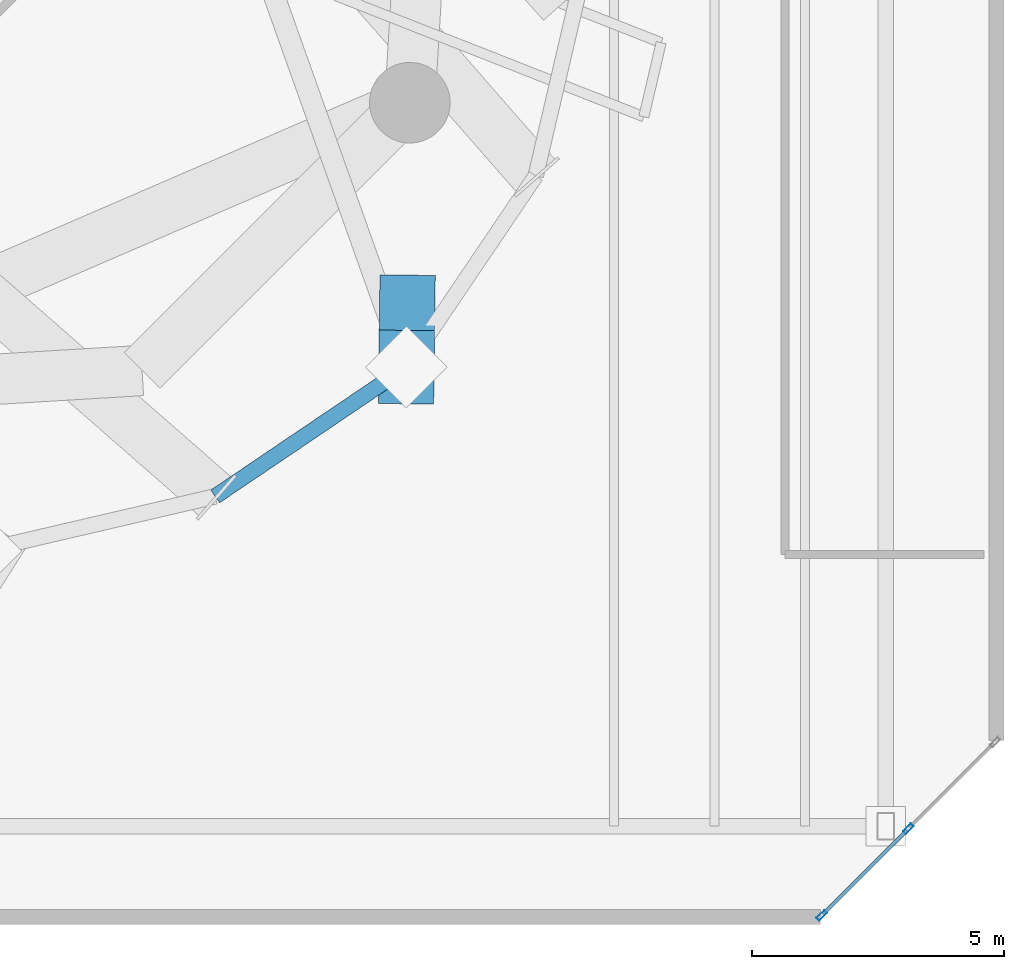
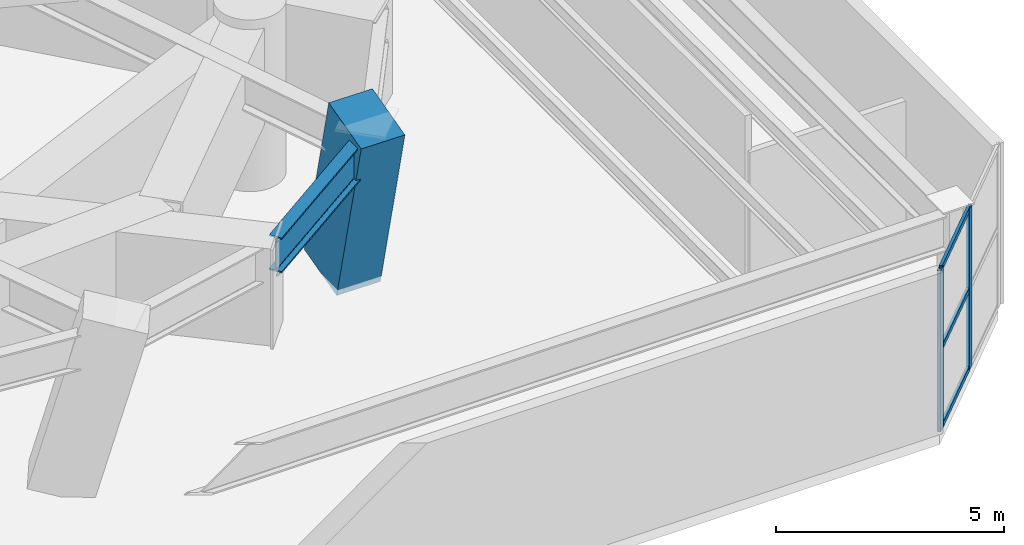
# One storey, part 8 of 25: 6 members, 1 beam, 1 element without a shape of its own.
"""IFC4 building model written with IfcOpenShell, lengths in metres."""

from ifc_helpers import new_model, si_unit, direction, frame, origin, origin_2d, place, context, subcontext, project, spatial, rectangle, hollow_rectangle, i_section, extrude, material, layer, layer_set, material_profile, profile_set, type_object, element, aggregate, save


model = new_model("IFC4")

# Units and contexts
model_context = context("Model", 3, precision=1e-05, world=origin(), true_north=direction((0.0, 1.0)))
body_context = subcontext(model_context, "Body", "Model", "MODEL_VIEW")
ifc_project = project(units=[si_unit("LENGTHUNIT", "METRE"), si_unit("AREAUNIT", "SQUARE_METRE"), si_unit("VOLUMEUNIT", "CUBIC_METRE"), si_unit("PLANEANGLEUNIT", "RADIAN"), si_unit("MASSUNIT", "GRAM", prefix="KILO")], contexts=[model_context])

# Site, building, storey
site_placement = place(None, origin())
site = spatial("IfcSite", under=ifc_project, at=site_placement, CompositionType="ELEMENT")
building_placement = place(site_placement, origin())
building = spatial("IfcBuilding", under=site, at=building_placement, Name="Cununo Teusaquillo Station Towers", CompositionType="ELEMENT")
storey_placement = place(building_placement, frame((0.0, 0.0, 17.39990234375)))
storey = spatial("IfcBuildingStorey", under=building, at=storey_placement, Name="L04", CompositionType="ELEMENT", Elevation=17.39990234375)

# Beam
ifc_material_1 = material(Name="Steel ASTM A572 Grade 50", Category="steel")
ifc_material_profile_1 = material_profile(ifc_material_1, i_section(OverallWidth=0.30810546875, OverallDepth=0.943115234375, WebThickness=0.022216796875, FlangeThickness=0.039794921875, FilletRadius=0.02392578125, at=origin_2d()), Name="W36X232")
ifc_profile_set_1 = profile_set([ifc_material_profile_1], Name="Steel ASTM A572 Grade 50")
beam_type = type_object("IfcBeamType", Name="BM-POD-SEC", PredefinedType="BEAM", material=ifc_profile_set_1)
beam_placement = place(storey_placement, frame((66.27978515625, 9.352294921875, 3.8681640625), z_axis=(0.828478827415, 0.560020385813, 0.0), x_axis=(-0.560020385813, 0.828478827415, 0.0)))
element("IfcBeam", 1, at=beam_placement, inside=storey, type_object=beam_type, Name="L04 Tower B Outer Diagrid Shoe Ring Girder 15", PredefinedType="BEAM", context=body_context, shape_type="SweptSolid", body=[
    extrude(i_section(OverallWidth=0.30810546875, OverallDepth=0.943115234375, WebThickness=0.022216796875, FlangeThickness=0.039794921875, FilletRadius=0.02392578125, at=origin_2d()), origin(), (0.0, 0.0, 1.0), 4.586181640625),
])

# Curtain wall, members
ifc_material_2 = material(Name="Ceramic-fritted dark low-E double glazing", Category="glass")
ifc_layer = layer(ifc_material_2, 0.179931640625)
ifc_layer_set = layer_set([ifc_layer], Name="Ceramic-fritted dark low-E double glazing")
curtain_wall_type = type_object("IfcCurtainWallType", Name="CW-SYS-01", PredefinedType="USERDEFINED", material=ifc_layer_set)
curtain_wall_placement = place(storey_placement, origin())
curtain_wall = element("IfcCurtainWall", 2, at=curtain_wall_placement, inside=storey, type_object=curtain_wall_type, Name="L04 Station Podium Corner Curtain Wall 6", ObjectType="FRITTED GLAZING", PredefinedType="USERDEFINED")
ifc_material_3 = material(Name="Anodised dark bronze aluminium EN AW-6063-T6", Category="aluminium")
ifc_material_profile_2 = material_profile(ifc_material_3, hollow_rectangle(XDim=0.080078125, YDim=0.219970703125, WallThickness=0.0048828125, at=origin_2d()), Name="CW-MULL-80x220")
ifc_profile_set_2 = profile_set([ifc_material_profile_2], Name="Anodised dark bronze aluminium EN AW-6063-T6")
member_type_1 = type_object("IfcMemberType", Name="CWM-220", PredefinedType="MULLION", material=ifc_profile_set_2)
member_1_placement = place(storey_placement, frame((80.050048828125, 2.75, 0.0), z_axis=(0.0, 0.0, 1.0), x_axis=(0.707106781187, -0.707106781187, 0.0)))
member_1 = element("IfcMember", 3, at=member_1_placement, type_object=member_type_1, Name="CW-01 mullion 2", PredefinedType="MULLION", context=body_context, shape_type="SweptSolid", body=[
    extrude(hollow_rectangle(XDim=0.080078125, YDim=0.219970703125, WallThickness=0.0048828125, at=origin_2d()), origin(), (0.0, 0.0, 1.0), 4.3251953125),
])
member_2_placement = place(storey_placement, frame((78.328369140625, 1.0283203125, 0.0), z_axis=(0.0, 0.0, 1.0), x_axis=(0.707106781187, -0.707106781187, 0.0)))
member_2 = element("IfcMember", 4, at=member_2_placement, type_object=member_type_1, Name="CW-01 mullion 3", PredefinedType="MULLION", context=body_context, shape_type="SweptSolid", body=[
    extrude(hollow_rectangle(XDim=0.080078125, YDim=0.219970703125, WallThickness=0.0048828125, at=origin_2d()), origin(), (0.0, 0.0, 1.0), 4.3251953125),
])
ifc_material_4 = material(Name="Anodised dark bronze aluminium EN AW-6063-T6", Category="aluminium")
ifc_material_profile_3 = material_profile(ifc_material_4, hollow_rectangle(XDim=0.070068359375, YDim=0.139892578125, WallThickness=0.00390625, at=origin_2d()), Name="CW-TRAN-70x140")
ifc_profile_set_3 = profile_set([ifc_material_profile_3], Name="Anodised dark bronze aluminium EN AW-6063-T6")
member_type_2 = type_object("IfcMemberType", Name="CWT-140", PredefinedType="USERDEFINED", material=ifc_profile_set_3)
member_3_placement = place(storey_placement, frame((80.021728515625, 2.7216796875, 0.03515625), z_axis=(-0.707106781187, -0.707106781187, 0.0), x_axis=(0.707106781187, -0.707106781187, 0.0)))
member_3 = element("IfcMember", 5, at=member_3_placement, type_object=member_type_2, Name="CW-01 transom 2.1", ObjectType="TRANSOM", PredefinedType="USERDEFINED", context=body_context, shape_type="SweptSolid", body=[
    extrude(hollow_rectangle(XDim=0.070068359375, YDim=0.139892578125, WallThickness=0.00390625, at=origin_2d()), origin(), (0.0, 0.0, 1.0), 2.354736328125),
])
member_4_placement = place(storey_placement, frame((80.021728515625, 2.7216796875, 2.150146484375), z_axis=(-0.707106781187, -0.707106781187, 0.0), x_axis=(0.707106781187, -0.707106781187, 0.0)))
member_4 = element("IfcMember", 6, at=member_4_placement, type_object=member_type_2, Name="CW-01 transom 2.2", ObjectType="TRANSOM", PredefinedType="USERDEFINED", context=body_context, shape_type="SweptSolid", body=[
    extrude(hollow_rectangle(XDim=0.070068359375, YDim=0.139892578125, WallThickness=0.00390625, at=origin_2d()), origin(), (0.0, 0.0, 1.0), 2.354736328125),
])
member_5_placement = place(storey_placement, frame((80.021728515625, 2.7216796875, 4.2900390625), z_axis=(-0.707106781187, -0.707106781187, 0.0), x_axis=(0.707106781187, -0.707106781187, 0.0)))
member_5 = element("IfcMember", 7, at=member_5_placement, type_object=member_type_2, Name="CW-01 transom 2.3", ObjectType="TRANSOM", PredefinedType="USERDEFINED", context=body_context, shape_type="SweptSolid", body=[
    extrude(hollow_rectangle(XDim=0.070068359375, YDim=0.139892578125, WallThickness=0.00390625, at=origin_2d()), origin(), (0.0, 0.0, 1.0), 2.354736328125),
])
aggregate(curtain_wall, [member_1, member_2, member_3, member_4, member_5])

# Member
ifc_material_5 = material(Name="Concrete C60/75", Category="concrete")
ifc_material_profile_4 = material_profile(ifc_material_5, rectangle(XDim=1.10009765625, YDim=1.5, at=origin_2d()), Name="RC-RECT-1500x1100")
ifc_profile_set_4 = profile_set([ifc_material_profile_4], Name="Concrete C60/75")
member_type_3 = type_object("IfcMemberType", Name="MBR-VFOOT", PredefinedType="USERDEFINED", material=ifc_profile_set_4)
member_6_placement = place(storey_placement, frame((70.093505859375, 13.018798828125, 0.0), z_axis=(-0.00299408399, -0.232196375625, 0.972664319592), x_axis=(0.999916874756, -0.012893547963, 0.0)))
element("IfcMember", 8, at=member_6_placement, inside=storey, type_object=member_type_3, Name="L04 Tower B Sloping Concrete V-Foot V16L", ObjectType="V FOOT STRUT", PredefinedType="USERDEFINED", context=body_context, shape_type="SweptSolid", body=[
    extrude(rectangle(XDim=1.10009765625, YDim=1.5, at=origin_2d()), origin(), (0.0, 0.0, 1.0), 4.7294921875),
])

save(model, "model.ifc")
